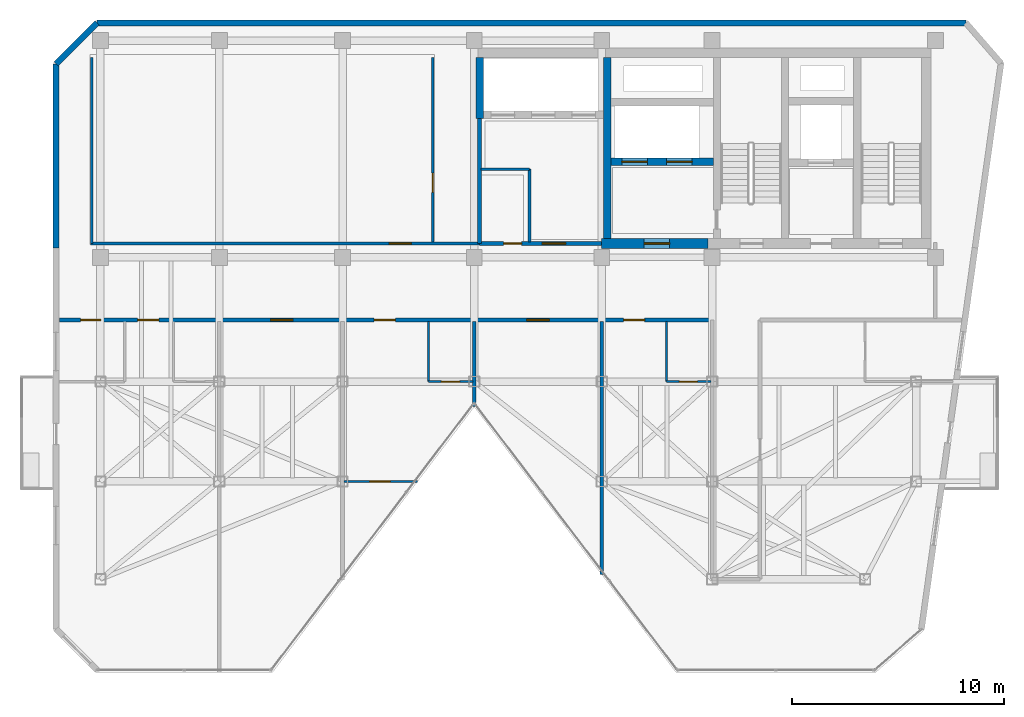
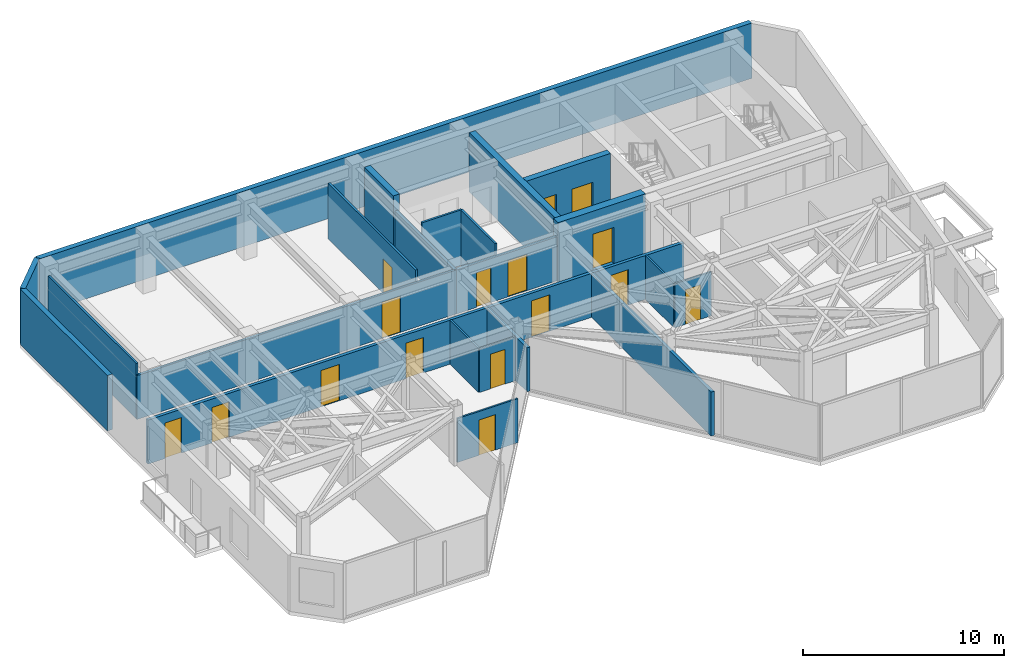
# One storey, part 13 of 17: 22 walls, 16 doors, 16 openings.
"""IFC4 building model written with IfcOpenShell, lengths in metres."""

from ifc_helpers import new_model, si_unit, direction, frame, frame_2d, origin, place, context, subcontext, project, spatial, rectangle, extrude, material, layer, layer_set, type_object, element, fill, save


model = new_model("IFC4")

# Units and contexts
model_context = context("Model", 3, precision=1e-05, world=origin(), true_north=direction((0.0, 1.0)))
body_context = subcontext(model_context, "Body", "Model", "MODEL_VIEW")
ifc_project = project(units=[si_unit("LENGTHUNIT", "METRE"), si_unit("AREAUNIT", "SQUARE_METRE"), si_unit("VOLUMEUNIT", "CUBIC_METRE"), si_unit("PLANEANGLEUNIT", "RADIAN"), si_unit("MASSUNIT", "GRAM", prefix="KILO")], contexts=[model_context])

# Site, building, storey
site_placement = place(None, origin())
site = spatial("IfcSite", under=ifc_project, at=site_placement, CompositionType="ELEMENT")
building_placement = place(site_placement, origin())
building = spatial("IfcBuilding", under=site, at=building_placement, Name="Kravanh Interchange Tower", CompositionType="ELEMENT")
storey_placement = place(building_placement, frame((0.0, 0.0, 249.0)))
storey = spatial("IfcBuildingStorey", under=building, at=storey_placement, Name="L60", CompositionType="ELEMENT", Elevation=249.0)

# Walls
ifc_material_1 = material(Name="Double Acoustic Gypsum Board and Mineral Wool")
ifc_layer_1 = layer(ifc_material_1, 0.1201171875)
ifc_layer_set_1 = layer_set([ifc_layer_1], Name="Acoustic Office Drywall Partition 120mm")
wall_type_1 = type_object("IfcWallType", Name="Acoustic Office Drywall Partition 120mm", PredefinedType="PARTITIONING", material=ifc_layer_set_1)
wall_1_placement = place(storey_placement, frame((47.39990234375, 38.068115234375, 0.0), z_axis=(0.0, 0.0, 1.0), x_axis=(0.0, 1.0, 0.0)))
element("IfcWall", 1, at=wall_1_placement, inside=storey, type_object=wall_type_1, Name="L60 Interior Partition 2", PredefinedType="PARTITIONING", context=body_context, shape_type="SweptSolid", body=[
    extrude(rectangle(XDim=3.431884765625, YDim=0.1201171875, at=frame_2d((1.7158203125, 0.0))), origin(), (0.0, 0.0, 1.0), 3.360107421875),
])
wall_2_placement = place(storey_placement, frame((45.117919921875, 41.5, 0.0), z_axis=(0.0, 0.0, 1.0), x_axis=(1.0, 0.0, 0.0)))
element("IfcWall", 2, at=wall_2_placement, inside=storey, type_object=wall_type_1, Name="L60 Interior Partition 3", PredefinedType="PARTITIONING", context=body_context, shape_type="SweptSolid", body=[
    extrude(rectangle(XDim=2.281982421875, YDim=0.1201171875, at=frame_2d((1.14111328125, 0.0))), origin(), (0.0, 0.0, 1.0), 3.360107421875),
])
wall_3_placement = place(storey_placement, frame((26.800048828125, 38.0, 0.0), z_axis=(0.0, 0.0, 1.0), x_axis=(0.0, 1.0, 0.0)))
element("IfcWall", 3, at=wall_3_placement, inside=storey, type_object=wall_type_1, Name="L60 Interior Partition 6", PredefinedType="PARTITIONING", context=body_context, shape_type="SweptSolid", body=[
    extrude(rectangle(XDim=8.75, YDim=0.1201171875, at=frame_2d((4.375, 0.0))), origin(), (0.0, 0.0, 1.0), 3.360107421875),
])

# Wall, opening, door
wall_4_placement = place(storey_placement, frame((42.85009765625, 38.068115234375, 0.0), z_axis=(0.0, 0.0, 1.0), x_axis=(0.0, 1.0, 0.0)))
wall_4 = element("IfcWall", 4, at=wall_4_placement, inside=storey, type_object=wall_type_1, Name="L60 Interior Partition 7", PredefinedType="PARTITIONING", context=body_context, shape_type="SweptSolid", body=[
    extrude(rectangle(XDim=8.681884765625, YDim=0.1201171875, at=frame_2d((4.3408203125, 0.0))), origin(), (0.0, 0.0, 1.0), 3.360107421875),
])
opening_1_placement = place(wall_4_placement, frame((2.341796875, 0.0, 0.0)))
opening_1 = element("IfcOpeningElement", 5, at=opening_1_placement, cuts=wall_4, Name="Opening D-90", PredefinedType="OPENING", context=body_context, shape_type="SweptSolid", body=[
    extrude(rectangle(XDim=0.89990234375, YDim=2.10009765625, at=frame_2d((0.449951171875, 1.050048828125))), frame((0.0, 0.070068359375, 0.0), z_axis=(0.0, -1.0, 0.0), x_axis=(1.0, 0.0, 0.0)), (0.0, 0.0, 1.0), 0.14013671875),
])
ifc_material_2 = material(Name="Painted Solid-Core Timber", Category="wood")
door_type_1 = type_object("IfcDoorType", Name="Service Room Door 900x2100", OperationType="NOTDEFINED", PredefinedType="DOOR", material=ifc_material_2)
door_1_placement = place(opening_1_placement, origin())
door_1 = element("IfcDoor", 6, at=door_1_placement, inside=storey, type_object=door_type_1, Name="L60 Housekeeping Inner Door", OperationType="SINGLE_SWING_RIGHT", OverallHeight=2.10009765625, OverallWidth=0.89990234375, PredefinedType="DOOR", context=body_context, shape_type="SweptSolid", body=[
    extrude(rectangle(XDim=0.89990234375, YDim=2.10009765625, at=frame_2d((0.449951171875, 1.050048828125))), frame((0.0, 0.02490234375, 0.0), z_axis=(0.0, -1.0, 0.0), x_axis=(1.0, 0.0, 0.0)), (0.0, 0.0, 1.0), 0.050048828125),
])
fill(opening_1, door_1)

# Wall, openings, doors
ifc_material_3 = material(Name="Concrete C60/75", Category="concrete")
ifc_layer_2 = layer(ifc_material_3, 0.35009765625)
ifc_layer_set_2 = layer_set([ifc_layer_2], Name="Core Shear Wall Concrete C60/75 350mm")
wall_type_2 = type_object("IfcWallType", Name="Core Shear Wall Concrete C60/75 350mm", PredefinedType="SHEAR", material=ifc_layer_set_2)
wall_5_placement = place(storey_placement, frame((51.22509765625, 41.85009765625, 0.0), z_axis=(0.0, 0.0, 1.0), x_axis=(1.0, 0.0, 0.0)))
wall_5 = element("IfcWall", 7, at=wall_5_placement, inside=storey, type_object=wall_type_2, Name="L60 Fire Lift Shaft South Wall", PredefinedType="SHEAR", context=body_context, shape_type="SweptSolid", body=[
    extrude(rectangle(XDim=4.824951171875, YDim=0.35009765625, at=frame_2d((2.41259765625, 0.0))), origin(), (0.0, 0.0, 1.0), 3.60009765625),
])
opening_2_placement = place(wall_5_placement, frame((0.52490234375, 0.0, 0.0)))
opening_2 = element("IfcOpeningElement", 8, at=opening_2_placement, cuts=wall_5, Name="Opening LD02", PredefinedType="OPENING", context=body_context, shape_type="SweptSolid", body=[
    extrude(rectangle(XDim=1.199951171875, YDim=2.199951171875, at=frame_2d((0.60009765625, 1.10009765625))), frame((0.0, 0.18505859375, 0.0), z_axis=(0.0, -1.0, 0.0), x_axis=(1.0, 0.0, 0.0)), (0.0, 0.0, 1.0), 0.3701171875),
])
opening_3_placement = place(wall_5_placement, frame((2.625, 0.0, 0.0)))
opening_3 = element("IfcOpeningElement", 9, at=opening_3_placement, cuts=wall_5, Name="Opening LD02", PredefinedType="OPENING", context=body_context, shape_type="SweptSolid", body=[
    extrude(rectangle(XDim=1.199951171875, YDim=2.199951171875, at=frame_2d((0.60009765625, 1.10009765625))), frame((0.0, 0.18505859375, 0.0), z_axis=(0.0, -1.0, 0.0), x_axis=(1.0, 0.0, 0.0)), (0.0, 0.0, 1.0), 0.3701171875),
])
ifc_material_4 = material(Name="Stainless Steel 316", Category="steel")
door_type_2 = type_object("IfcDoorType", Name="Fire and Service Lift Sliding Landing Door 1200x2200", OperationType="DOUBLE_DOOR_SLIDING", PredefinedType="DOOR", material=ifc_material_4)
door_2_placement = place(opening_2_placement, origin())
door_2 = element("IfcDoor", 10, at=door_2_placement, inside=storey, type_object=door_type_2, Name="L60 Lift FSAE-01 Landing Door", OperationType="DOUBLE_DOOR_SLIDING", OverallHeight=2.199951171875, OverallWidth=1.199951171875, PredefinedType="DOOR", context=body_context, shape_type="SweptSolid", body=[
    extrude(rectangle(XDim=1.199951171875, YDim=2.199951171875, at=frame_2d((0.60009765625, 1.10009765625))), frame((0.0, 0.02490234375, 0.0), z_axis=(0.0, -1.0, 0.0), x_axis=(1.0, 0.0, 0.0)), (0.0, 0.0, 1.0), 0.050048828125),
])
fill(opening_2, door_2)
door_3_placement = place(opening_3_placement, origin())
door_3 = element("IfcDoor", 11, at=door_3_placement, inside=storey, type_object=door_type_2, Name="L60 Lift FSAE-02 Landing Door", OperationType="DOUBLE_DOOR_SLIDING", OverallHeight=2.199951171875, OverallWidth=1.199951171875, PredefinedType="DOOR", context=body_context, shape_type="SweptSolid", body=[
    extrude(rectangle(XDim=1.199951171875, YDim=2.199951171875, at=frame_2d((0.60009765625, 1.10009765625))), frame((0.0, 0.02490234375, 0.0), z_axis=(0.0, -1.0, 0.0), x_axis=(1.0, 0.0, 0.0)), (0.0, 0.0, 1.0), 0.050048828125),
])
fill(opening_3, door_3)

# Walls
wall_6_placement = place(storey_placement, frame((51.050048828125, 38.22509765625, 0.0), z_axis=(0.0, 0.0, 1.0), x_axis=(0.0, 1.0, 0.0)))
element("IfcWall", 12, at=wall_6_placement, inside=storey, type_object=wall_type_2, Name="L60 Firefighting Lobby West Wall", PredefinedType="SHEAR", context=body_context, shape_type="SweptSolid", body=[
    extrude(rectangle(XDim=8.52490234375, YDim=0.35009765625, at=frame_2d((4.262451171875, 0.0))), origin(), (0.0, 0.0, 1.0), 3.60009765625),
])
wall_7_placement = place(storey_placement, frame((45.050048828125, 43.875, 0.0), z_axis=(0.0, 0.0, 1.0), x_axis=(0.0, 1.0, 0.0)))
element("IfcWall", 13, at=wall_7_placement, inside=storey, type_object=wall_type_2, Name="L60 High-Rise Lift Shaft West Wall", PredefinedType="SHEAR", context=body_context, shape_type="SweptSolid", body=[
    extrude(rectangle(XDim=2.875, YDim=0.35009765625, at=frame_2d((1.4375, 0.0))), origin(), (0.0, 0.0, 1.0), 3.60009765625),
])

# Wall, opening, door
ifc_material_5 = material(Name="Concrete C60/75", Category="concrete")
ifc_layer_3 = layer(ifc_material_5, 0.449951171875)
ifc_layer_set_3 = layer_set([ifc_layer_3], Name="Core Shear Wall Concrete C60/75 450mm")
wall_type_3 = type_object("IfcWallType", Name="Core Shear Wall Concrete C60/75 450mm", PredefinedType="SHEAR", material=ifc_layer_set_3)
wall_8_placement = place(storey_placement, frame((50.800048828125, 38.0, 0.0), z_axis=(0.0, 0.0, 1.0), x_axis=(1.0, 0.0, 0.0)))
wall_8 = element("IfcWall", 14, at=wall_8_placement, inside=storey, type_object=wall_type_3, Name="L60 Firefighting Lobby South Shear Wall", PredefinedType="SHEAR", context=body_context, shape_type="SweptSolid", body=[
    extrude(rectangle(XDim=5.0, YDim=0.449951171875, at=frame_2d((2.5, 0.0))), origin(), (0.0, 0.0, 1.0), 3.60009765625),
])
opening_4_placement = place(wall_8_placement, frame((2.0, 0.0, 0.0)))
opening_4 = element("IfcOpeningElement", 15, at=opening_4_placement, cuts=wall_8, Name="Opening D-FSAE-120", PredefinedType="OPENING", context=body_context, shape_type="SweptSolid", body=[
    extrude(rectangle(XDim=1.199951171875, YDim=2.199951171875, at=frame_2d((0.60009765625, 1.10009765625))), frame((0.0, 0.23486328125, 0.0), z_axis=(0.0, -1.0, 0.0), x_axis=(1.0, 0.0, 0.0)), (0.0, 0.0, 1.0), 0.469970703125),
])
ifc_material_6 = material(Name="Structural Steel S355", Category="steel")
door_type_3 = type_object("IfcDoorType", Name="Fire-Rated Refuge and FSAE Door 1200x2200", OperationType="NOTDEFINED", PredefinedType="DOOR", material=ifc_material_6)
door_4_placement = place(opening_4_placement, origin())
door_4 = element("IfcDoor", 16, at=door_4_placement, inside=storey, type_object=door_type_3, Name="L60 Firefighting Lobby Corridor Door", OperationType="SINGLE_SWING_RIGHT", OverallHeight=2.199951171875, OverallWidth=1.199951171875, PredefinedType="DOOR", context=body_context, shape_type="SweptSolid", body=[
    extrude(rectangle(XDim=1.199951171875, YDim=2.199951171875, at=frame_2d((0.60009765625, 1.10009765625))), frame((0.0, 0.02490234375, 0.0), z_axis=(0.0, -1.0, 0.0), x_axis=(1.0, 0.0, 0.0)), (0.0, 0.0, 1.0), 0.050048828125),
])
fill(opening_4, door_4)

ifc_material_7 = material(Name="Moisture-Resistant Gypsum Board and Mineral Wool")
ifc_layer_4 = layer(ifc_material_7, 0.10009765625)
ifc_layer_set_4 = layer_set([ifc_layer_4], Name="En-Suite Moisture-Resistant Partition 100mm")
wall_type_4 = type_object("IfcWallType", Name="En-Suite Moisture-Resistant Partition 100mm", PredefinedType="PARTITIONING", material=ifc_layer_set_4)
wall_9_placement = place(storey_placement, frame((38.66796875, 26.800048828125, 0.0), z_axis=(0.0, 0.0, 1.0), x_axis=(1.0, 0.0, 0.0)))
wall_9 = element("IfcWall", 17, at=wall_9_placement, inside=storey, type_object=wall_type_4, Name="L60 Interior Partition 22", PredefinedType="PARTITIONING", context=body_context, shape_type="SweptSolid", body=[
    extrude(rectangle(XDim=3.453125, YDim=0.10009765625, at=frame_2d((1.7265625, 0.0))), origin(), (0.0, 0.0, 1.0), 2.6640625),
])
opening_5_placement = place(wall_9_placement, frame((1.217529296875, 0.0, 0.0)))
opening_5 = element("IfcOpeningElement", 18, at=opening_5_placement, cuts=wall_9, Name="Opening D-95", PredefinedType="OPENING", context=body_context, shape_type="SweptSolid", body=[
    extrude(rectangle(XDim=0.949951171875, YDim=2.14990234375, at=frame_2d((0.47509765625, 1.074951171875))), frame((0.0, 0.06005859375, 0.0), z_axis=(0.0, -1.0, 0.0), x_axis=(1.0, 0.0, 0.0)), (0.0, 0.0, 1.0), 0.1201171875),
])
ifc_material_8 = material(Name="Laminate Solid-Core Timber", Category="wood")
door_type_4 = type_object("IfcDoorType", Name="Accessible Restroom Door 950x2150", OperationType="NOTDEFINED", PredefinedType="DOOR", material=ifc_material_8)
door_5_placement = place(opening_5_placement, origin())
door_5 = element("IfcDoor", 19, at=door_5_placement, inside=storey, type_object=door_type_4, Name="L60 Sunroom Alcove Inner Door", OperationType="SINGLE_SWING_LEFT", OverallHeight=2.14990234375, OverallWidth=0.949951171875, PredefinedType="DOOR", context=body_context, shape_type="SweptSolid", body=[
    extrude(rectangle(XDim=0.949951171875, YDim=2.14990234375, at=frame_2d((0.47509765625, 1.074951171875))), frame((0.0, 0.02490234375, 0.0), z_axis=(0.0, -1.0, 0.0), x_axis=(1.0, 0.0, 0.0)), (0.0, 0.0, 1.0), 0.050048828125),
])
fill(opening_5, door_5)

# Wall
wall_10_placement = place(storey_placement, frame((42.64990234375, 31.5, 0.0), z_axis=(0.0, 0.0, 1.0), x_axis=(0.0, 1.0, 0.0)))
element("IfcWall", 20, at=wall_10_placement, inside=storey, type_object=wall_type_4, Name="L60 Interior Partition 23", PredefinedType="PARTITIONING", context=body_context, shape_type="SweptSolid", body=[
    extrude(rectangle(XDim=2.83203125, YDim=0.10009765625, at=frame_2d((1.416015625, 0.0))), origin(), (0.0, 0.0, 1.0), 2.6640625),
])

# Wall, opening, door
wall_11_placement = place(storey_placement, frame((42.64990234375, 31.5, 0.0), z_axis=(0.0, 0.0, 1.0), x_axis=(1.0, 0.0, 0.0)))
wall_11 = element("IfcWall", 21, at=wall_11_placement, inside=storey, type_object=wall_type_4, Name="L60 Interior Partition 24", PredefinedType="PARTITIONING", context=body_context, shape_type="SweptSolid", body=[
    extrude(rectangle(XDim=2.08203125, YDim=0.10009765625, at=frame_2d((1.041015625, 0.0))), origin(), (0.0, 0.0, 1.0), 2.6640625),
])
opening_6_placement = place(wall_11_placement, frame((0.607421875, 0.0, 0.0)))
opening_6 = element("IfcOpeningElement", 22, at=opening_6_placement, cuts=wall_11, Name="Opening D-85", PredefinedType="OPENING", context=body_context, shape_type="SweptSolid", body=[
    extrude(rectangle(XDim=0.85009765625, YDim=2.10009765625, at=frame_2d((0.425048828125, 1.050048828125))), frame((0.0, 0.06005859375, 0.0), z_axis=(0.0, -1.0, 0.0), x_axis=(1.0, 0.0, 0.0)), (0.0, 0.0, 1.0), 0.1201171875),
])
ifc_material_9 = material(Name="Engineered Teak Veneer Timber", Category="wood")
door_type_5 = type_object("IfcDoorType", Name="En-Suite Timber Door 850x2100", OperationType="NOTDEFINED", PredefinedType="DOOR", material=ifc_material_9)
door_6_placement = place(opening_6_placement, origin())
door_6 = element("IfcDoor", 23, at=door_6_placement, inside=storey, type_object=door_type_5, Name="L60 En-suite Bathroom Door", OperationType="SINGLE_SWING_LEFT", OverallHeight=2.10009765625, OverallWidth=0.85009765625, PredefinedType="DOOR", context=body_context, shape_type="SweptSolid", body=[
    extrude(rectangle(XDim=0.85009765625, YDim=2.10009765625, at=frame_2d((0.425048828125, 1.050048828125))), frame((0.0, 0.02490234375, 0.0), z_axis=(0.0, -1.0, 0.0), x_axis=(1.0, 0.0, 0.0)), (0.0, 0.0, 1.0), 0.050048828125),
])
fill(opening_6, door_6)

# Wall
wall_12_placement = place(storey_placement, frame((53.85009765625, 31.5, 0.0), z_axis=(0.0, 0.0, 1.0), x_axis=(0.0, 1.0, 0.0)))
element("IfcWall", 24, at=wall_12_placement, inside=storey, type_object=wall_type_4, Name="L60 Interior Partition 27", PredefinedType="PARTITIONING", context=body_context, shape_type="SweptSolid", body=[
    extrude(rectangle(XDim=2.83203125, YDim=0.10009765625, at=frame_2d((1.416015625, 0.0))), origin(), (0.0, 0.0, 1.0), 2.6640625),
])

# Wall, opening, door
wall_13_placement = place(storey_placement, frame((53.85009765625, 31.5, 0.0), z_axis=(0.0, 0.0, 1.0), x_axis=(1.0, 0.0, 0.0)))
wall_13 = element("IfcWall", 25, at=wall_13_placement, inside=storey, type_object=wall_type_4, Name="L60 Interior Partition 28", PredefinedType="PARTITIONING", context=body_context, shape_type="SweptSolid", body=[
    extrude(rectangle(XDim=2.081787109375, YDim=0.10009765625, at=frame_2d((1.041015625, 0.0))), origin(), (0.0, 0.0, 1.0), 2.6640625),
])
opening_7_placement = place(wall_13_placement, frame((0.607421875, 0.0, 0.0)))
opening_7 = element("IfcOpeningElement", 26, at=opening_7_placement, cuts=wall_13, Name="Opening D-85", PredefinedType="OPENING", context=body_context, shape_type="SweptSolid", body=[
    extrude(rectangle(XDim=0.85009765625, YDim=2.10009765625, at=frame_2d((0.425048828125, 1.050048828125))), frame((0.0, 0.06005859375, 0.0), z_axis=(0.0, -1.0, 0.0), x_axis=(1.0, 0.0, 0.0)), (0.0, 0.0, 1.0), 0.1201171875),
])
door_7_placement = place(opening_7_placement, origin())
door_7 = element("IfcDoor", 27, at=door_7_placement, inside=storey, type_object=door_type_5, Name="L60 En-suite Bathroom Door", OperationType="SINGLE_SWING_RIGHT", OverallHeight=2.10009765625, OverallWidth=0.85009765625, PredefinedType="DOOR", context=body_context, shape_type="SweptSolid", body=[
    extrude(rectangle(XDim=0.85009765625, YDim=2.10009765625, at=frame_2d((0.425048828125, 1.050048828125))), frame((0.0, 0.02490234375, 0.0), z_axis=(0.0, -1.0, 0.0), x_axis=(1.0, 0.0, 0.0)), (0.0, 0.0, 1.0), 0.050048828125),
])
fill(opening_7, door_7)

# Walls
ifc_material_10 = material(Name="Insulated Precast Concrete C40/50 with Bronze Cladding", Category="concrete")
ifc_layer_5 = layer(ifc_material_10, 0.280029296875)
ifc_layer_set_5 = layer_set([ifc_layer_5], Name="Exterior Insulated Concrete C40/50 Bronze Spandrel Wall 280mm")
wall_type_5 = type_object("IfcWallType", Name="Exterior Insulated Concrete C40/50 Bronze Spandrel Wall 280mm", PredefinedType="STANDARD", material=ifc_layer_set_5)
wall_14_placement = place(storey_placement, frame((25.1201171875, 37.800048828125, 0.0), z_axis=(0.0, 0.0, 1.0), x_axis=(0.0, 1.0, 0.0)))
element("IfcWall", 28, at=wall_14_placement, inside=storey, type_object=wall_type_5, Name="L60 Exterior Wall 2", PredefinedType="STANDARD", context=body_context, shape_type="SweptSolid", body=[
    extrude(rectangle(XDim=8.650146484375, YDim=0.280029296875, at=frame_2d((4.3251953125, 0.0))), origin(), (0.0, 0.0, 1.0), 3.360107421875),
])
wall_15_placement = place(storey_placement, frame((25.1201171875, 46.4501953125, 0.0), z_axis=(0.0, 0.0, 1.0), x_axis=(0.707106781187, 0.707106781187, 0.0)))
element("IfcWall", 29, at=wall_15_placement, inside=storey, type_object=wall_type_5, Name="L60 Exterior Wall 3", PredefinedType="STANDARD", context=body_context, shape_type="SweptSolid", body=[
    extrude(rectangle(XDim=2.72900390625, YDim=0.280029296875, at=frame_2d((1.364501953125, 0.0))), origin(), (0.0, 0.0, 1.0), 3.360107421875),
])
wall_16_placement = place(storey_placement, frame((27.0498046875, 48.3798828125, 0.0), z_axis=(0.0, 0.0, 1.0), x_axis=(1.0, 0.0, 0.0)))
element("IfcWall", 30, at=wall_16_placement, inside=storey, type_object=wall_type_5, Name="L60 Exterior Wall 4", PredefinedType="STANDARD", context=body_context, shape_type="SweptSolid", body=[
    extrude(rectangle(XDim=40.8955078125, YDim=0.280029296875, at=frame_2d((20.44775390625, 0.0))), origin(), (0.0, 0.0, 1.0), 3.360107421875),
])

# Wall, openings, doors
ifc_material_11 = material(Name="Autoclaved Aerated Concrete C30/37 Blockwork", Category="masonry")
ifc_layer_6 = layer(ifc_material_11, 0.179931640625)
ifc_layer_set_6 = layer_set([ifc_layer_6], Name="Fire-Rated Lobby and Corridor Wall Concrete C30/37 180mm")
wall_type_6 = type_object("IfcWallType", Name="Fire-Rated Lobby and Corridor Wall Concrete C30/37 180mm", PredefinedType="STANDARD", material=ifc_layer_set_6)
wall_17_placement = place(storey_placement, frame((45.050048828125, 38.0, 0.0), z_axis=(0.0, 0.0, 1.0), x_axis=(1.0, 0.0, 0.0)))
wall_17 = element("IfcWall", 31, at=wall_17_placement, inside=storey, type_object=wall_type_6, Name="L60 High-Rise Lift Lobby Wall 1", PredefinedType="STANDARD", context=body_context, shape_type="SweptSolid", body=[
    extrude(rectangle(XDim=5.75, YDim=0.179931640625, at=frame_2d((2.875, 0.0))), origin(), (0.0, 0.0, 1.0), 2.6640625),
])
opening_8_placement = place(wall_17_placement, frame((1.135009765625, 0.0, 0.0)))
opening_8 = element("IfcOpeningElement", 32, at=opening_8_placement, cuts=wall_17, Name="Opening D-85", PredefinedType="OPENING", context=body_context, shape_type="SweptSolid", body=[
    extrude(rectangle(XDim=0.85009765625, YDim=2.10009765625, at=frame_2d((0.425048828125, 1.050048828125))), frame((0.0, 0.10009765625, 0.0), z_axis=(0.0, -1.0, 0.0), x_axis=(1.0, 0.0, 0.0)), (0.0, 0.0, 1.0), 0.199951171875),
])
opening_9_placement = place(wall_17_placement, frame((2.949951171875, 0.0, 0.0)))
opening_9 = element("IfcOpeningElement", 33, at=opening_9_placement, cuts=wall_17, Name="Opening D-SHAFT-110", PredefinedType="OPENING", context=body_context, shape_type="SweptSolid", body=[
    extrude(rectangle(XDim=1.10009765625, YDim=2.199951171875, at=frame_2d((0.550048828125, 1.10009765625))), frame((0.0, 0.10009765625, 0.0), z_axis=(0.0, -1.0, 0.0), x_axis=(1.0, 0.0, 0.0)), (0.0, 0.0, 1.0), 0.199951171875),
])
door_8_placement = place(opening_8_placement, origin())
door_8 = element("IfcDoor", 34, at=door_8_placement, inside=storey, type_object=door_type_5, Name="L60 Core Linen Closet Door", OperationType="SINGLE_SWING_LEFT", OverallHeight=2.10009765625, OverallWidth=0.85009765625, PredefinedType="DOOR", context=body_context, shape_type="SweptSolid", body=[
    extrude(rectangle(XDim=0.85009765625, YDim=2.10009765625, at=frame_2d((0.425048828125, 1.050048828125))), frame((0.0, 0.02490234375, 0.0), z_axis=(0.0, -1.0, 0.0), x_axis=(1.0, 0.0, 0.0)), (0.0, 0.0, 1.0), 0.050048828125),
])
fill(opening_8, door_8)
ifc_material_12 = material(Name="Fire-Rated Composite Timber Leaf", Category="wood")
door_type_6 = type_object("IfcDoorType", Name="Fire-Rated Core Support Door 1100x2200", OperationType="NOTDEFINED", PredefinedType="DOOR", material=ifc_material_12)
door_9_placement = place(opening_9_placement, origin())
door_9 = element("IfcDoor", 35, at=door_9_placement, inside=storey, type_object=door_type_6, Name="L60 High-Rise Lift Lobby Door", OperationType="SINGLE_SWING_RIGHT", OverallHeight=2.199951171875, OverallWidth=1.10009765625, PredefinedType="DOOR", context=body_context, shape_type="SweptSolid", body=[
    extrude(rectangle(XDim=1.10009765625, YDim=2.199951171875, at=frame_2d((0.550048828125, 1.10009765625))), frame((0.0, 0.02490234375, 0.0), z_axis=(0.0, -1.0, 0.0), x_axis=(1.0, 0.0, 0.0)), (0.0, 0.0, 1.0), 0.050048828125),
])
fill(opening_9, door_9)

# Wall
wall_18_placement = place(storey_placement, frame((45.050048828125, 38.0, 0.0), z_axis=(0.0, 0.0, 1.0), x_axis=(0.0, 1.0, 0.0)))
element("IfcWall", 36, at=wall_18_placement, inside=storey, type_object=wall_type_6, Name="L60 Interior Partition 4", PredefinedType="STANDARD", context=body_context, shape_type="SweptSolid", body=[
    extrude(rectangle(XDim=5.875, YDim=0.179931640625, at=frame_2d((2.9375, 0.0))), origin(), (0.0, 0.0, 1.0), 2.6640625),
])

# Wall, openings, doors
wall_19_placement = place(storey_placement, frame((25.284912109375, 34.39990234375, 0.0), z_axis=(0.0, 0.0, 1.0), x_axis=(1.0, 0.0, 0.0)))
wall_19 = element("IfcWall", 37, at=wall_19_placement, inside=storey, type_object=wall_type_6, Name="L60 Interior Partition 8", PredefinedType="STANDARD", context=body_context, shape_type="SweptSolid", body=[
    extrude(rectangle(XDim=30.715087890625, YDim=0.179931640625, at=frame_2d((15.357421875, 0.0))), origin(), (0.0, 0.0, 1.0), 2.6640625),
])
opening_10_placement = place(wall_19_placement, frame((0.9892578125, 0.0, 0.0)))
opening_10 = element("IfcOpeningElement", 38, at=opening_10_placement, cuts=wall_19, Name="Opening D-95", PredefinedType="OPENING", context=body_context, shape_type="SweptSolid", body=[
    extrude(rectangle(XDim=0.949951171875, YDim=2.14990234375, at=frame_2d((0.47509765625, 1.074951171875))), frame((0.0, 0.10009765625, 0.0), z_axis=(0.0, -1.0, 0.0), x_axis=(1.0, 0.0, 0.0)), (0.0, 0.0, 1.0), 0.199951171875),
])
opening_11_placement = place(wall_19_placement, frame((3.668701171875, 0.0, 0.0)))
opening_11 = element("IfcOpeningElement", 39, at=opening_11_placement, cuts=wall_19, Name="Opening D-HOTEL-100", PredefinedType="OPENING", context=body_context, shape_type="SweptSolid", body=[
    extrude(rectangle(XDim=1.0, YDim=2.14990234375, at=frame_2d((0.5, 1.074951171875))), frame((0.0, 0.10009765625, 0.0), z_axis=(0.0, -1.0, 0.0), x_axis=(1.0, 0.0, 0.0)), (0.0, 0.0, 1.0), 0.199951171875),
])
opening_12_placement = place(wall_19_placement, frame((9.9306640625, 0.0, 0.0)))
opening_12 = element("IfcOpeningElement", 40, at=opening_12_placement, cuts=wall_19, Name="Opening D-105", PredefinedType="OPENING", context=body_context, shape_type="SweptSolid", body=[
    extrude(rectangle(XDim=1.050048828125, YDim=2.199951171875, at=frame_2d((0.52490234375, 1.10009765625))), frame((0.0, 0.10009765625, 0.0), z_axis=(0.0, -1.0, 0.0), x_axis=(1.0, 0.0, 0.0)), (0.0, 0.0, 1.0), 0.199951171875),
])
opening_13_placement = place(wall_19_placement, frame((14.7998046875, 0.0, 0.0)))
opening_13 = element("IfcOpeningElement", 41, at=opening_13_placement, cuts=wall_19, Name="Opening D-HOTEL-100", PredefinedType="OPENING", context=body_context, shape_type="SweptSolid", body=[
    extrude(rectangle(XDim=1.0, YDim=2.14990234375, at=frame_2d((0.5, 1.074951171875))), frame((0.0, 0.10009765625, 0.0), z_axis=(0.0, -1.0, 0.0), x_axis=(1.0, 0.0, 0.0)), (0.0, 0.0, 1.0), 0.199951171875),
])
opening_14_placement = place(wall_19_placement, frame((21.989990234375, 0.0, 0.0)))
opening_14 = element("IfcOpeningElement", 42, at=opening_14_placement, cuts=wall_19, Name="Opening D-105", PredefinedType="OPENING", context=body_context, shape_type="SweptSolid", body=[
    extrude(rectangle(XDim=1.050048828125, YDim=2.199951171875, at=frame_2d((0.52490234375, 1.10009765625))), frame((0.0, 0.10009765625, 0.0), z_axis=(0.0, -1.0, 0.0), x_axis=(1.0, 0.0, 0.0)), (0.0, 0.0, 1.0), 0.199951171875),
])
opening_15_placement = place(wall_19_placement, frame((26.5400390625, 0.0, 0.0)))
opening_15 = element("IfcOpeningElement", 43, at=opening_15_placement, cuts=wall_19, Name="Opening D-HOTEL-100", PredefinedType="OPENING", context=body_context, shape_type="SweptSolid", body=[
    extrude(rectangle(XDim=1.0, YDim=2.14990234375, at=frame_2d((0.5, 1.074951171875))), frame((0.0, 0.10009765625, 0.0), z_axis=(0.0, -1.0, 0.0), x_axis=(1.0, 0.0, 0.0)), (0.0, 0.0, 1.0), 0.199951171875),
])
door_10_placement = place(opening_10_placement, origin())
door_10 = element("IfcDoor", 44, at=door_10_placement, inside=storey, type_object=door_type_4, Name="L60 Accessible WC Door", OperationType="SINGLE_SWING_LEFT", OverallHeight=2.14990234375, OverallWidth=0.949951171875, PredefinedType="DOOR", context=body_context, shape_type="SweptSolid", body=[
    extrude(rectangle(XDim=0.949951171875, YDim=2.14990234375, at=frame_2d((0.47509765625, 1.074951171875))), frame((0.0, 0.02490234375, 0.0), z_axis=(0.0, -1.0, 0.0), x_axis=(1.0, 0.0, 0.0)), (0.0, 0.0, 1.0), 0.050048828125),
])
fill(opening_10, door_10)
ifc_material_13 = material(Name="Fire-Rated Solid Timber Leaf", Category="wood")
door_type_7 = type_object("IfcDoorType", Name="Fire-Rated Suite Entrance Door 1000x2150", OperationType="NOTDEFINED", PredefinedType="DOOR", material=ifc_material_13)
door_11_placement = place(opening_11_placement, origin())
door_11 = element("IfcDoor", 45, at=door_11_placement, inside=storey, type_object=door_type_7, Name="L60 Presidential Hotel Suite Entrance Door", OperationType="SINGLE_SWING_RIGHT", OverallHeight=2.14990234375, OverallWidth=1.0, PredefinedType="DOOR", context=body_context, shape_type="SweptSolid", body=[
    extrude(rectangle(XDim=1.0, YDim=2.14990234375, at=frame_2d((0.5, 1.074951171875))), frame((0.0, 0.02490234375, 0.0), z_axis=(0.0, -1.0, 0.0), x_axis=(1.0, 0.0, 0.0)), (0.0, 0.0, 1.0), 0.050048828125),
])
fill(opening_11, door_11)
door_12_placement = place(opening_13_placement, origin())
door_12 = element("IfcDoor", 46, at=door_12_placement, inside=storey, type_object=door_type_7, Name="L60 Hotel Guest Room C Entrance Door", OperationType="SINGLE_SWING_RIGHT", OverallHeight=2.14990234375, OverallWidth=1.0, PredefinedType="DOOR", context=body_context, shape_type="SweptSolid", body=[
    extrude(rectangle(XDim=1.0, YDim=2.14990234375, at=frame_2d((0.5, 1.074951171875))), frame((0.0, 0.02490234375, 0.0), z_axis=(0.0, -1.0, 0.0), x_axis=(1.0, 0.0, 0.0)), (0.0, 0.0, 1.0), 0.050048828125),
])
fill(opening_13, door_12)
door_13_placement = place(opening_15_placement, origin())
door_13 = element("IfcDoor", 47, at=door_13_placement, inside=storey, type_object=door_type_7, Name="L60 Presidential Hotel Suite Entrance Door", OperationType="SINGLE_SWING_LEFT", OverallHeight=2.14990234375, OverallWidth=1.0, PredefinedType="DOOR", context=body_context, shape_type="SweptSolid", body=[
    extrude(rectangle(XDim=1.0, YDim=2.14990234375, at=frame_2d((0.5, 1.074951171875))), frame((0.0, 0.02490234375, 0.0), z_axis=(0.0, -1.0, 0.0), x_axis=(1.0, 0.0, 0.0)), (0.0, 0.0, 1.0), 0.050048828125),
])
fill(opening_15, door_13)
ifc_material_14 = material(Name="Acoustic Glazed Oak and Aluminium", Category="aluminium")
door_type_8 = type_object("IfcDoorType", Name="Office Workplace Door 1050x2200", OperationType="NOTDEFINED", PredefinedType="DOOR", material=ifc_material_14)
door_14_placement = place(opening_12_placement, origin())
door_14 = element("IfcDoor", 48, at=door_14_placement, inside=storey, type_object=door_type_8, Name="L60 VIP Meeting Salon 1 Door", OperationType="SINGLE_SWING_RIGHT", OverallHeight=2.199951171875, OverallWidth=1.050048828125, PredefinedType="DOOR", context=body_context, shape_type="SweptSolid", body=[
    extrude(rectangle(XDim=1.050048828125, YDim=2.199951171875, at=frame_2d((0.52490234375, 1.10009765625))), frame((0.0, 0.02490234375, 0.0), z_axis=(0.0, -1.0, 0.0), x_axis=(1.0, 0.0, 0.0)), (0.0, 0.0, 1.0), 0.050048828125),
])
fill(opening_12, door_14)
door_15_placement = place(opening_14_placement, origin())
door_15 = element("IfcDoor", 49, at=door_15_placement, inside=storey, type_object=door_type_8, Name="L60 VIP Meeting Salon 2 Door", OperationType="SINGLE_SWING_RIGHT", OverallHeight=2.199951171875, OverallWidth=1.050048828125, PredefinedType="DOOR", context=body_context, shape_type="SweptSolid", body=[
    extrude(rectangle(XDim=1.050048828125, YDim=2.199951171875, at=frame_2d((0.52490234375, 1.10009765625))), frame((0.0, 0.02490234375, 0.0), z_axis=(0.0, -1.0, 0.0), x_axis=(1.0, 0.0, 0.0)), (0.0, 0.0, 1.0), 0.050048828125),
])
fill(opening_14, door_15)

# Walls
wall_20_placement = place(storey_placement, frame((44.800048828125, 30.32470703125, 0.0), z_axis=(0.0, 0.0, 1.0), x_axis=(0.0, 1.0, 0.0)))
element("IfcWall", 50, at=wall_20_placement, inside=storey, type_object=wall_type_6, Name="L60 Interior Partition 25", PredefinedType="STANDARD", context=body_context, shape_type="SweptSolid", body=[
    extrude(rectangle(XDim=4.00732421875, YDim=0.179931640625, at=frame_2d((2.003662109375, 0.0))), origin(), (0.0, 0.0, 1.0), 2.6640625),
])
wall_21_placement = place(storey_placement, frame((50.800048828125, 22.43017578125, 0.0), z_axis=(0.0, 0.0, 1.0), x_axis=(0.0, 1.0, 0.0)))
element("IfcWall", 51, at=wall_21_placement, inside=storey, type_object=wall_type_6, Name="L60 Interior Partition 26", PredefinedType="STANDARD", context=body_context, shape_type="SweptSolid", body=[
    extrude(rectangle(XDim=11.90185546875, YDim=0.179931640625, at=frame_2d((5.950927734375, 0.0))), origin(), (0.0, 0.0, 1.0), 2.6640625),
])

# Wall, opening, door
ifc_material_15 = material(Name="Twin Stud Acoustic Gypsum Board Wall")
ifc_layer_7 = layer(ifc_material_15, 0.14990234375)
ifc_layer_set_7 = layer_set([ifc_layer_7], Name="Medium-Duty Acoustic Partition 150mm")
wall_type_7 = type_object("IfcWallType", Name="Medium-Duty Acoustic Partition 150mm", PredefinedType="PARTITIONING", material=ifc_layer_set_7)
wall_22_placement = place(storey_placement, frame((26.75, 38.0, 0.0), z_axis=(0.0, 0.0, 1.0), x_axis=(1.0, 0.0, 0.0)))
wall_22 = element("IfcWall", 52, at=wall_22_placement, inside=storey, type_object=wall_type_7, Name="L60 Interior Partition 5", PredefinedType="PARTITIONING", context=body_context, shape_type="SweptSolid", body=[
    extrude(rectangle(XDim=18.300048828125, YDim=0.14990234375, at=frame_2d((9.14990234375, 0.0))), origin(), (0.0, 0.0, 1.0), 2.6640625),
])
opening_16_placement = place(wall_22_placement, frame((14.0419921875, 0.0, 0.0)))
opening_16 = element("IfcOpeningElement", 53, at=opening_16_placement, cuts=wall_22, Name="Opening D-105", PredefinedType="OPENING", context=body_context, shape_type="SweptSolid", body=[
    extrude(rectangle(XDim=1.050048828125, YDim=2.199951171875, at=frame_2d((0.52490234375, 1.10009765625))), frame((0.0, 0.0849609375, 0.0), z_axis=(0.0, -1.0, 0.0), x_axis=(1.0, 0.0, 0.0)), (0.0, 0.0, 1.0), 0.169921875),
])
door_16_placement = place(opening_16_placement, origin())
door_16 = element("IfcDoor", 54, at=door_16_placement, inside=storey, type_object=door_type_8, Name="L60 North Wellness Lounge Door", OperationType="SINGLE_SWING_LEFT", OverallHeight=2.199951171875, OverallWidth=1.050048828125, PredefinedType="DOOR", context=body_context, shape_type="SweptSolid", body=[
    extrude(rectangle(XDim=1.050048828125, YDim=2.199951171875, at=frame_2d((0.52490234375, 1.10009765625))), frame((0.0, 0.02490234375, 0.0), z_axis=(0.0, -1.0, 0.0), x_axis=(1.0, 0.0, 0.0)), (0.0, 0.0, 1.0), 0.050048828125),
])
fill(opening_16, door_16)

save(model, "model.ifc")
